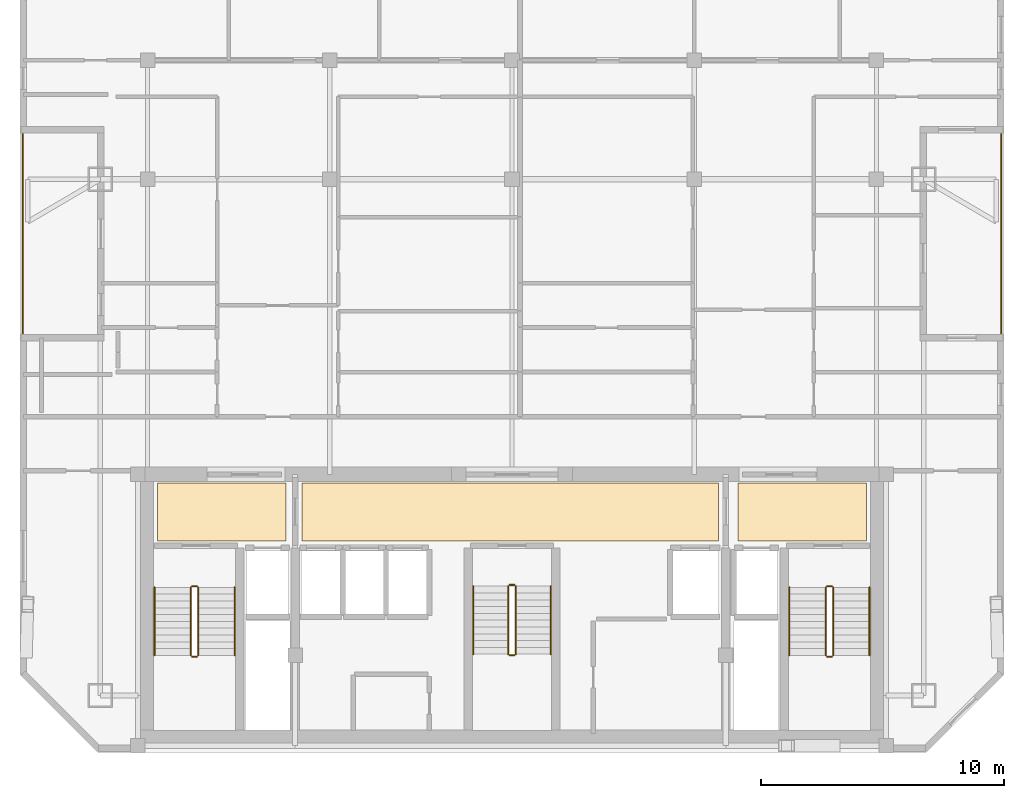
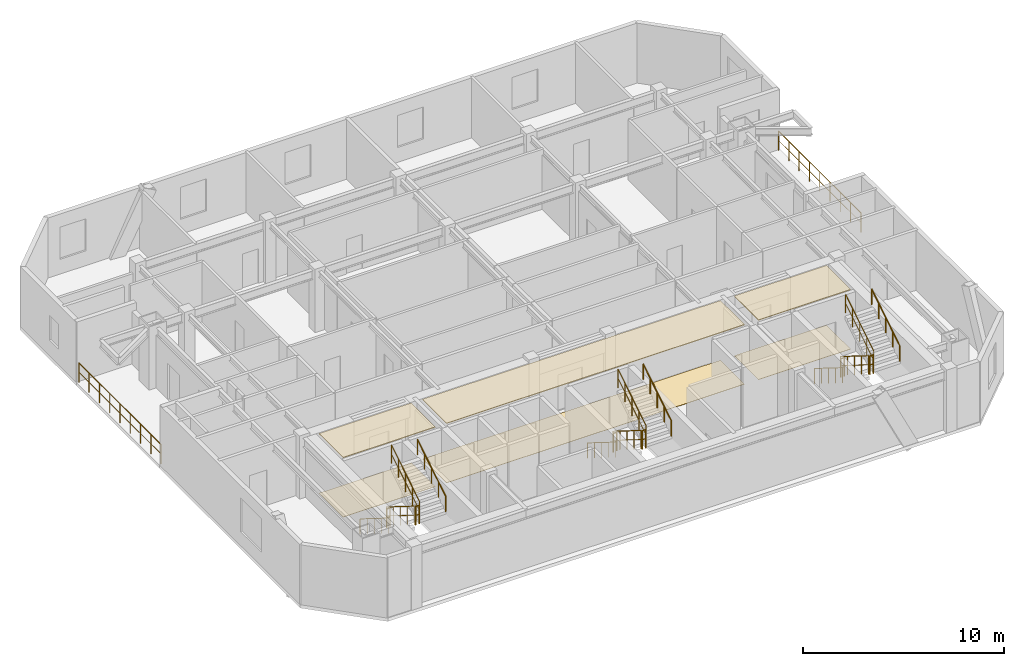
# One storey, part 7 of 7: 20 railings, 6 coverings.
"""IFC4 building model written with IfcOpenShell, lengths in metres."""

from ifc_helpers import new_model, si_unit, direction, frame, origin, origin_2d, place, context, subcontext, project, spatial, polyline, circle, outline, extrude, material, layer, layer_set, type_object, element, save


model = new_model("IFC4")

# Units and contexts
model_context = context("Model", 3, precision=1e-05, world=origin(), true_north=direction((0.0, 1.0)))
body_context = subcontext(model_context, "Body", "Model", "MODEL_VIEW")
ifc_project = project(units=[si_unit("LENGTHUNIT", "METRE"), si_unit("AREAUNIT", "SQUARE_METRE"), si_unit("VOLUMEUNIT", "CUBIC_METRE"), si_unit("PLANEANGLEUNIT", "RADIAN"), si_unit("MASSUNIT", "GRAM", prefix="KILO")], contexts=[model_context])

# Site, building, storey
site_placement = place(None, origin())
site = spatial("IfcSite", under=ifc_project, at=site_placement, CompositionType="ELEMENT")
building_placement = place(site_placement, origin())
building = spatial("IfcBuilding", under=site, at=building_placement, Name="Ventersveld Concourse Tower", CompositionType="ELEMENT")
storey_placement = place(building_placement, frame((0.0, 0.0, 288.75)))
storey = spatial("IfcBuildingStorey", under=building, at=storey_placement, Name="L71", CompositionType="ELEMENT", Elevation=288.75)

# Coverings
ifc_material_1 = material(Name="Mineral-fibre acoustic ceiling tile", Category="gypsum")
ifc_layer_1 = layer(ifc_material_1, 0.0400390625)
ifc_layer_set_1 = layer_set([ifc_layer_1], Name="Mineral-fibre acoustic ceiling tile")
covering_type_1 = type_object("IfcCoveringType", Name="COV-CEIL-ACOUSTIC", PredefinedType="CEILING", material=ifc_layer_set_1)
covering_1_placement = place(storey_placement, frame((0.0, 0.0, 3.610107421875)))
element("IfcCovering", 1, at=covering_1_placement, inside=storey, type_object=covering_type_1, Name="L71 North Lift Lobby Acoustic Ceiling", PredefinedType="CEILING", context=body_context, shape_type="SweptSolid", body=[
    extrude(outline(polyline([(20.10009765625, 8.699951171875), (37.25, 8.699951171875), (37.25, 11.10009765625), (20.10009765625, 11.10009765625), (20.10009765625, 8.699951171875)])), origin(), (0.0, 0.0, 1.0), 0.039794921875),
])
covering_2_placement = place(storey_placement, frame((0.0, 0.0, 3.610107421875)))
element("IfcCovering", 2, at=covering_2_placement, inside=storey, type_object=covering_type_1, Name="L71 West Firefighting Lobby Acoustic Ceiling", PredefinedType="CEILING", context=body_context, shape_type="SweptSolid", body=[
    extrude(outline(polyline([(14.14990234375, 8.699951171875), (19.449951171875, 8.699951171875), (19.449951171875, 11.10009765625), (14.14990234375, 11.10009765625), (14.14990234375, 8.699951171875)])), origin(), (0.0, 0.0, 1.0), 0.039794921875),
])
covering_3_placement = place(storey_placement, frame((0.0, 0.0, 3.610107421875)))
element("IfcCovering", 3, at=covering_3_placement, inside=storey, type_object=covering_type_1, Name="L71 East Firefighting Lobby Acoustic Ceiling", PredefinedType="CEILING", context=body_context, shape_type="SweptSolid", body=[
    extrude(outline(polyline([(38.050048828125, 8.699951171875), (43.35009765625, 8.699951171875), (43.35009765625, 11.10009765625), (38.050048828125, 11.10009765625), (38.050048828125, 8.699951171875)])), origin(), (0.0, 0.0, 1.0), 0.039794921875),
])
ifc_material_2 = material(Name="Polished Highveld granite terrazzo", Category="masonry")
ifc_layer_2 = layer(ifc_material_2, 0.02001953125)
ifc_layer_set_2 = layer_set([ifc_layer_2], Name="Polished Highveld granite terrazzo")
covering_type_2 = type_object("IfcCoveringType", Name="COV-FLOOR-TERRAZZO", PredefinedType="FLOORING", material=ifc_layer_set_2)
covering_4_placement = place(storey_placement, origin())
element("IfcCovering", 4, at=covering_4_placement, inside=storey, type_object=covering_type_2, Name="L71 North Lift Lobby Terrazzo Flooring", PredefinedType="FLOORING", context=body_context, shape_type="SweptSolid", body=[
    extrude(outline(polyline([(20.10009765625, 8.699951171875), (37.25, 8.699951171875), (37.25, 11.10009765625), (20.10009765625, 11.10009765625), (20.10009765625, 8.699951171875)])), origin(), (0.0, 0.0, 1.0), 0.02001953125),
])
covering_5_placement = place(storey_placement, origin())
element("IfcCovering", 5, at=covering_5_placement, inside=storey, type_object=covering_type_2, Name="L71 West Firefighting Lobby Terrazzo Flooring", PredefinedType="FLOORING", context=body_context, shape_type="SweptSolid", body=[
    extrude(outline(polyline([(14.14990234375, 8.699951171875), (19.449951171875, 8.699951171875), (19.449951171875, 11.10009765625), (14.14990234375, 11.10009765625), (14.14990234375, 8.699951171875)])), origin(), (0.0, 0.0, 1.0), 0.02001953125),
])
covering_6_placement = place(storey_placement, origin())
element("IfcCovering", 6, at=covering_6_placement, inside=storey, type_object=covering_type_2, Name="L71 East Firefighting Lobby Terrazzo Flooring", PredefinedType="FLOORING", context=body_context, shape_type="SweptSolid", body=[
    extrude(outline(polyline([(38.050048828125, 8.699951171875), (43.35009765625, 8.699951171875), (43.35009765625, 11.10009765625), (38.050048828125, 11.10009765625), (38.050048828125, 8.699951171875)])), origin(), (0.0, 0.0, 1.0), 0.02001953125),
])

# Railings
ifc_material_3 = material(Name="Brushed stainless steel 316", Category="steel")
railing_type_1 = type_object("IfcRailingType", Name="GD-BAL-115", PredefinedType="GUARDRAIL", material=ifc_material_3)
railing_1_placement = place(storey_placement, frame((15.530029296875, 6.800048828125, 0.175048828125)))
element("IfcRailing", 7, at=railing_1_placement, inside=storey, type_object=railing_type_1, Name="L71 ST-01 stair guard 1", PredefinedType="GUARDRAIL", context=body_context, shape_type="SweptSolid", body=[
    extrude(circle(Radius=0.02392578125, at=origin_2d()), frame((0.0, 0.0, 1.1259765625), z_axis=(0.0, -0.848002457836, 0.529992293815), x_axis=(1.0, 0.0, 0.0)), (0.0, 0.0, 1.0), 3.302001953125),
    extrude(circle(Radius=0.01611328125, at=origin_2d()), frame((0.0, 0.0, 0.574951171875), z_axis=(0.0, -0.848002457836, 0.529992293815), x_axis=(1.0, 0.0, 0.0)), (0.0, 0.0, 1.0), 3.302001953125),
    extrude(circle(Radius=0.02099609375, at=origin_2d()), origin(), (0.0, 0.0, 1.0), 1.101806640625),
    extrude(circle(Radius=0.02099609375, at=origin_2d()), frame((0.0, -0.699951171875, 0.4375)), (0.0, 0.0, 1.0), 1.101806640625),
    extrude(circle(Radius=0.02099609375, at=origin_2d()), frame((0.0, -1.39990234375, 0.875)), (0.0, 0.0, 1.0), 1.101806640625),
    extrude(circle(Radius=0.02099609375, at=origin_2d()), frame((0.0, -2.10009765625, 1.3125)), (0.0, 0.0, 1.0), 1.101806640625),
    extrude(circle(Radius=0.02099609375, at=origin_2d()), frame((0.0, -2.800048828125, 1.75)), (0.0, 0.0, 1.0), 1.101806640625),
])
railing_2_placement = place(storey_placement, frame((15.580078125, 3.949951171875, 1.925048828125)))
element("IfcRailing", 8, at=railing_2_placement, inside=storey, type_object=railing_type_1, Name="L71 ST-01 stair guard 2", PredefinedType="GUARDRAIL", context=body_context, shape_type="SweptSolid", body=[
    extrude(circle(Radius=0.02392578125, at=origin_2d()), frame((0.0, 0.0, 1.1259765625), z_axis=(1.0, 0.0, 0.0), x_axis=(0.0, 1.0, 0.0)), (0.0, 0.0, 1.0), 0.199951171875),
    extrude(circle(Radius=0.01611328125, at=origin_2d()), frame((0.0, 0.0, 0.574951171875), z_axis=(1.0, 0.0, 0.0), x_axis=(0.0, 1.0, 0.0)), (0.0, 0.0, 1.0), 0.199951171875),
    extrude(circle(Radius=0.02099609375, at=origin_2d()), origin(), (0.0, 0.0, 1.0), 1.101806640625),
    extrude(circle(Radius=0.02099609375, at=origin_2d()), frame((0.199951171875, 0.0, 0.0)), (0.0, 0.0, 1.0), 1.101806640625),
])
railing_3_placement = place(storey_placement, frame((15.830078125, 4.0, 2.10009765625)))
element("IfcRailing", 9, at=railing_3_placement, inside=storey, type_object=railing_type_1, Name="L71 ST-01 stair guard 3", PredefinedType="GUARDRAIL", context=body_context, shape_type="SweptSolid", body=[
    extrude(circle(Radius=0.02392578125, at=origin_2d()), frame((0.0, 0.0, 1.1259765625), z_axis=(0.0, 0.848002457836, 0.529992293815), x_axis=(-1.0, 0.0, 0.0)), (0.0, 0.0, 1.0), 3.302001953125),
    extrude(circle(Radius=0.01611328125, at=origin_2d()), frame((0.0, 0.0, 0.574951171875), z_axis=(0.0, 0.848002457836, 0.529992293815), x_axis=(-1.0, 0.0, 0.0)), (0.0, 0.0, 1.0), 3.302001953125),
    extrude(circle(Radius=0.02099609375, at=origin_2d()), origin(), (0.0, 0.0, 1.0), 1.101806640625),
    extrude(circle(Radius=0.02099609375, at=origin_2d()), frame((0.0, 0.699951171875, 0.4375)), (0.0, 0.0, 1.0), 1.101806640625),
    extrude(circle(Radius=0.02099609375, at=origin_2d()), frame((0.0, 1.39990234375, 0.875)), (0.0, 0.0, 1.0), 1.101806640625),
    extrude(circle(Radius=0.02099609375, at=origin_2d()), frame((0.0, 2.10009765625, 1.3125)), (0.0, 0.0, 1.0), 1.101806640625),
    extrude(circle(Radius=0.02099609375, at=origin_2d()), frame((0.0, 2.800048828125, 1.75)), (0.0, 0.0, 1.0), 1.101806640625),
])
railing_4_placement = place(storey_placement, frame((15.580078125, 6.85009765625, 0.0)))
element("IfcRailing", 10, at=railing_4_placement, inside=storey, type_object=railing_type_1, Name="L71 ST-01 stair guard 4", PredefinedType="GUARDRAIL", context=body_context, shape_type="SweptSolid", body=[
    extrude(circle(Radius=0.02392578125, at=origin_2d()), frame((0.0, 0.0, 1.1259765625), z_axis=(1.0, 0.0, 0.0), x_axis=(0.0, 1.0, 0.0)), (0.0, 0.0, 1.0), 0.199951171875),
    extrude(circle(Radius=0.01611328125, at=origin_2d()), frame((0.0, 0.0, 0.574951171875), z_axis=(1.0, 0.0, 0.0), x_axis=(0.0, 1.0, 0.0)), (0.0, 0.0, 1.0), 0.199951171875),
    extrude(circle(Radius=0.02099609375, at=origin_2d()), origin(), (0.0, 0.0, 1.0), 1.101806640625),
    extrude(circle(Radius=0.02099609375, at=origin_2d()), frame((0.199951171875, 0.0, 0.0)), (0.0, 0.0, 1.0), 1.101806640625),
])
railing_5_placement = place(storey_placement, frame((41.669921875, 6.800048828125, 0.175048828125)))
element("IfcRailing", 11, at=railing_5_placement, inside=storey, type_object=railing_type_1, Name="L71 ST-02 stair guard 1", PredefinedType="GUARDRAIL", context=body_context, shape_type="SweptSolid", body=[
    extrude(circle(Radius=0.02392578125, at=origin_2d()), frame((0.0, 0.0, 1.1259765625), z_axis=(0.0, -0.848002457836, 0.529992293815), x_axis=(1.0, 0.0, 0.0)), (0.0, 0.0, 1.0), 3.302001953125),
    extrude(circle(Radius=0.01611328125, at=origin_2d()), frame((0.0, 0.0, 0.574951171875), z_axis=(0.0, -0.848002457836, 0.529992293815), x_axis=(1.0, 0.0, 0.0)), (0.0, 0.0, 1.0), 3.302001953125),
    extrude(circle(Radius=0.02099609375, at=origin_2d()), origin(), (0.0, 0.0, 1.0), 1.101806640625),
    extrude(circle(Radius=0.02099609375, at=origin_2d()), frame((0.0, -0.699951171875, 0.4375)), (0.0, 0.0, 1.0), 1.101806640625),
    extrude(circle(Radius=0.02099609375, at=origin_2d()), frame((0.0, -1.39990234375, 0.875)), (0.0, 0.0, 1.0), 1.101806640625),
    extrude(circle(Radius=0.02099609375, at=origin_2d()), frame((0.0, -2.10009765625, 1.3125)), (0.0, 0.0, 1.0), 1.101806640625),
    extrude(circle(Radius=0.02099609375, at=origin_2d()), frame((0.0, -2.800048828125, 1.75)), (0.0, 0.0, 1.0), 1.101806640625),
])
railing_6_placement = place(storey_placement, frame((41.719970703125, 3.949951171875, 1.925048828125)))
element("IfcRailing", 12, at=railing_6_placement, inside=storey, type_object=railing_type_1, Name="L71 ST-02 stair guard 2", PredefinedType="GUARDRAIL", context=body_context, shape_type="SweptSolid", body=[
    extrude(circle(Radius=0.02392578125, at=origin_2d()), frame((0.0, 0.0, 1.1259765625), z_axis=(1.0, 0.0, 0.0), x_axis=(0.0, 1.0, 0.0)), (0.0, 0.0, 1.0), 0.199951171875),
    extrude(circle(Radius=0.01611328125, at=origin_2d()), frame((0.0, 0.0, 0.574951171875), z_axis=(1.0, 0.0, 0.0), x_axis=(0.0, 1.0, 0.0)), (0.0, 0.0, 1.0), 0.199951171875),
    extrude(circle(Radius=0.02099609375, at=origin_2d()), origin(), (0.0, 0.0, 1.0), 1.101806640625),
    extrude(circle(Radius=0.02099609375, at=origin_2d()), frame((0.199951171875, 0.0, 0.0)), (0.0, 0.0, 1.0), 1.101806640625),
])
railing_7_placement = place(storey_placement, frame((41.969970703125, 4.0, 2.10009765625)))
element("IfcRailing", 13, at=railing_7_placement, inside=storey, type_object=railing_type_1, Name="L71 ST-02 stair guard 3", PredefinedType="GUARDRAIL", context=body_context, shape_type="SweptSolid", body=[
    extrude(circle(Radius=0.02392578125, at=origin_2d()), frame((0.0, 0.0, 1.1259765625), z_axis=(0.0, 0.848002457836, 0.529992293815), x_axis=(-1.0, 0.0, 0.0)), (0.0, 0.0, 1.0), 3.302001953125),
    extrude(circle(Radius=0.01611328125, at=origin_2d()), frame((0.0, 0.0, 0.574951171875), z_axis=(0.0, 0.848002457836, 0.529992293815), x_axis=(-1.0, 0.0, 0.0)), (0.0, 0.0, 1.0), 3.302001953125),
    extrude(circle(Radius=0.02099609375, at=origin_2d()), origin(), (0.0, 0.0, 1.0), 1.101806640625),
    extrude(circle(Radius=0.02099609375, at=origin_2d()), frame((0.0, 0.699951171875, 0.4375)), (0.0, 0.0, 1.0), 1.101806640625),
    extrude(circle(Radius=0.02099609375, at=origin_2d()), frame((0.0, 1.39990234375, 0.875)), (0.0, 0.0, 1.0), 1.101806640625),
    extrude(circle(Radius=0.02099609375, at=origin_2d()), frame((0.0, 2.10009765625, 1.3125)), (0.0, 0.0, 1.0), 1.101806640625),
    extrude(circle(Radius=0.02099609375, at=origin_2d()), frame((0.0, 2.800048828125, 1.75)), (0.0, 0.0, 1.0), 1.101806640625),
])
railing_8_placement = place(storey_placement, frame((41.719970703125, 6.85009765625, 0.0)))
element("IfcRailing", 14, at=railing_8_placement, inside=storey, type_object=railing_type_1, Name="L71 ST-02 stair guard 4", PredefinedType="GUARDRAIL", context=body_context, shape_type="SweptSolid", body=[
    extrude(circle(Radius=0.02392578125, at=origin_2d()), frame((0.0, 0.0, 1.1259765625), z_axis=(1.0, 0.0, 0.0), x_axis=(0.0, 1.0, 0.0)), (0.0, 0.0, 1.0), 0.199951171875),
    extrude(circle(Radius=0.01611328125, at=origin_2d()), frame((0.0, 0.0, 0.574951171875), z_axis=(1.0, 0.0, 0.0), x_axis=(0.0, 1.0, 0.0)), (0.0, 0.0, 1.0), 0.199951171875),
    extrude(circle(Radius=0.02099609375, at=origin_2d()), origin(), (0.0, 0.0, 1.0), 1.101806640625),
    extrude(circle(Radius=0.02099609375, at=origin_2d()), frame((0.199951171875, 0.0, 0.0)), (0.0, 0.0, 1.0), 1.101806640625),
])
railing_9_placement = place(storey_placement, frame((28.60009765625, 6.85009765625, 0.175048828125)))
element("IfcRailing", 15, at=railing_9_placement, inside=storey, type_object=railing_type_1, Name="L71 ST-03 stair guard 1", PredefinedType="GUARDRAIL", context=body_context, shape_type="SweptSolid", body=[
    extrude(circle(Radius=0.02392578125, at=origin_2d()), frame((0.0, 0.0, 1.1259765625), z_axis=(0.0, -0.848002457836, 0.529992293815), x_axis=(1.0, 0.0, 0.0)), (0.0, 0.0, 1.0), 3.302001953125),
    extrude(circle(Radius=0.01611328125, at=origin_2d()), frame((0.0, 0.0, 0.574951171875), z_axis=(0.0, -0.848002457836, 0.529992293815), x_axis=(1.0, 0.0, 0.0)), (0.0, 0.0, 1.0), 3.302001953125),
    extrude(circle(Radius=0.02099609375, at=origin_2d()), origin(), (0.0, 0.0, 1.0), 1.101806640625),
    extrude(circle(Radius=0.02099609375, at=origin_2d()), frame((0.0, -0.699951171875, 0.4375)), (0.0, 0.0, 1.0), 1.101806640625),
    extrude(circle(Radius=0.02099609375, at=origin_2d()), frame((0.0, -1.39990234375, 0.875)), (0.0, 0.0, 1.0), 1.101806640625),
    extrude(circle(Radius=0.02099609375, at=origin_2d()), frame((0.0, -2.10009765625, 1.3125)), (0.0, 0.0, 1.0), 1.101806640625),
    extrude(circle(Radius=0.02099609375, at=origin_2d()), frame((0.0, -2.800048828125, 1.75)), (0.0, 0.0, 1.0), 1.101806640625),
])
railing_10_placement = place(storey_placement, frame((28.64990234375, 4.0, 1.925048828125)))
element("IfcRailing", 16, at=railing_10_placement, inside=storey, type_object=railing_type_1, Name="L71 ST-03 stair guard 2", PredefinedType="GUARDRAIL", context=body_context, shape_type="SweptSolid", body=[
    extrude(circle(Radius=0.02392578125, at=origin_2d()), frame((0.0, 0.0, 1.1259765625), z_axis=(1.0, 0.0, 0.0), x_axis=(0.0, 1.0, 0.0)), (0.0, 0.0, 1.0), 0.2001953125),
    extrude(circle(Radius=0.01611328125, at=origin_2d()), frame((0.0, 0.0, 0.574951171875), z_axis=(1.0, 0.0, 0.0), x_axis=(0.0, 1.0, 0.0)), (0.0, 0.0, 1.0), 0.2001953125),
    extrude(circle(Radius=0.02099609375, at=origin_2d()), origin(), (0.0, 0.0, 1.0), 1.101806640625),
    extrude(circle(Radius=0.02099609375, at=origin_2d()), frame((0.2001953125, 0.0, 0.0)), (0.0, 0.0, 1.0), 1.101806640625),
])
railing_11_placement = place(storey_placement, frame((28.89990234375, 4.050048828125, 2.10009765625)))
element("IfcRailing", 17, at=railing_11_placement, inside=storey, type_object=railing_type_1, Name="L71 ST-03 stair guard 3", PredefinedType="GUARDRAIL", context=body_context, shape_type="SweptSolid", body=[
    extrude(circle(Radius=0.02392578125, at=origin_2d()), frame((0.0, 0.0, 1.1259765625), z_axis=(0.0, 0.848002457836, 0.529992293815), x_axis=(-1.0, 0.0, 0.0)), (0.0, 0.0, 1.0), 3.302001953125),
    extrude(circle(Radius=0.01611328125, at=origin_2d()), frame((0.0, 0.0, 0.574951171875), z_axis=(0.0, 0.848002457836, 0.529992293815), x_axis=(-1.0, 0.0, 0.0)), (0.0, 0.0, 1.0), 3.302001953125),
    extrude(circle(Radius=0.02099609375, at=origin_2d()), origin(), (0.0, 0.0, 1.0), 1.101806640625),
    extrude(circle(Radius=0.02099609375, at=origin_2d()), frame((0.0, 0.699951171875, 0.4375)), (0.0, 0.0, 1.0), 1.101806640625),
    extrude(circle(Radius=0.02099609375, at=origin_2d()), frame((0.0, 1.39990234375, 0.875)), (0.0, 0.0, 1.0), 1.101806640625),
    extrude(circle(Radius=0.02099609375, at=origin_2d()), frame((0.0, 2.10009765625, 1.3125)), (0.0, 0.0, 1.0), 1.101806640625),
    extrude(circle(Radius=0.02099609375, at=origin_2d()), frame((0.0, 2.800048828125, 1.75)), (0.0, 0.0, 1.0), 1.101806640625),
])
railing_12_placement = place(storey_placement, frame((28.64990234375, 6.89990234375, 0.0)))
element("IfcRailing", 18, at=railing_12_placement, inside=storey, type_object=railing_type_1, Name="L71 ST-03 stair guard 4", PredefinedType="GUARDRAIL", context=body_context, shape_type="SweptSolid", body=[
    extrude(circle(Radius=0.02392578125, at=origin_2d()), frame((0.0, 0.0, 1.1259765625), z_axis=(1.0, 0.0, 0.0), x_axis=(0.0, 1.0, 0.0)), (0.0, 0.0, 1.0), 0.2001953125),
    extrude(circle(Radius=0.01611328125, at=origin_2d()), frame((0.0, 0.0, 0.574951171875), z_axis=(1.0, 0.0, 0.0), x_axis=(0.0, 1.0, 0.0)), (0.0, 0.0, 1.0), 0.2001953125),
    extrude(circle(Radius=0.02099609375, at=origin_2d()), origin(), (0.0, 0.0, 1.0), 1.101806640625),
    extrude(circle(Radius=0.02099609375, at=origin_2d()), frame((0.2001953125, 0.0, 0.0)), (0.0, 0.0, 1.0), 1.101806640625),
])
railing_type_2 = type_object("IfcRailingType", Name="GD-TER-120", PredefinedType="GUARDRAIL", material=ifc_material_3)
for number, where, name in (
    (19, (8.615234375, 17.260498046875, 0.0), "L71 Outdoor Terrace Guardrail NOTCH-W"),
    (20, (48.884765625, 17.260498046875, 0.0), "L71 Outdoor Terrace Guardrail NOTCH-E"),
):
    element("IfcRailing", number, at=place(storey_placement, frame(where)), inside=storey, type_object=railing_type_2, Name=name, PredefinedType="GUARDRAIL", context=body_context, shape_type="SweptSolid", body=[
        extrude(circle(Radius=0.02392578125, at=origin_2d()), frame((0.0, 0.0, 1.17578125), z_axis=(0.0, 1.0, 0.0), x_axis=(-1.0, 0.0, 0.0)), (0.0, 0.0, 1.0), 8.2001953125),
        extrude(circle(Radius=0.01611328125, at=origin_2d()), frame((0.0, 0.0, 0.60009765625), z_axis=(0.0, 1.0, 0.0), x_axis=(-1.0, 0.0, 0.0)), (0.0, 0.0, 1.0), 8.2001953125),
        extrude(circle(Radius=0.02099609375, at=origin_2d()), origin(), (0.0, 0.0, 1.0), 1.15185546875),
        extrude(circle(Radius=0.02099609375, at=origin_2d()), frame((0.0, 1.02490234375, 0.0)), (0.0, 0.0, 1.0), 1.15185546875),
        extrude(circle(Radius=0.02099609375, at=origin_2d()), frame((0.0, 2.050048828125, 0.0)), (0.0, 0.0, 1.0), 1.15185546875),
        extrude(circle(Radius=0.02099609375, at=origin_2d()), frame((0.0, 3.0751953125, 0.0)), (0.0, 0.0, 1.0), 1.15185546875),
        extrude(circle(Radius=0.02099609375, at=origin_2d()), frame((0.0, 4.10009765625, 0.0)), (0.0, 0.0, 1.0), 1.15185546875),
        extrude(circle(Radius=0.02099609375, at=origin_2d()), frame((0.0, 5.125, 0.0)), (0.0, 0.0, 1.0), 1.15185546875),
        extrude(circle(Radius=0.02099609375, at=origin_2d()), frame((0.0, 6.150146484375, 0.0)), (0.0, 0.0, 1.0), 1.15185546875),
        extrude(circle(Radius=0.02099609375, at=origin_2d()), frame((0.0, 7.17529296875, 0.0)), (0.0, 0.0, 1.0), 1.15185546875),
        extrude(circle(Radius=0.02099609375, at=origin_2d()), frame((0.0, 8.2001953125, 0.0)), (0.0, 0.0, 1.0), 1.15185546875),
    ])
railing_type_3 = type_object("IfcRailingType", Name="HR-RMP-095", PredefinedType="HANDRAIL", material=ifc_material_3)
railing_13_placement = place(storey_placement, frame((14.030029296875, 6.800048828125, 0.175048828125)))
element("IfcRailing", 21, at=railing_13_placement, inside=storey, type_object=railing_type_3, Name="L71 ST-01 stair handrail 1", PredefinedType="HANDRAIL", context=body_context, shape_type="SweptSolid", body=[
    extrude(circle(Radius=0.02392578125, at=origin_2d()), frame((0.0, 0.0, 0.92578125), z_axis=(0.0, -0.848002457836, 0.529992293815), x_axis=(1.0, 0.0, 0.0)), (0.0, 0.0, 1.0), 3.302001953125),
    extrude(circle(Radius=0.02099609375, at=origin_2d()), origin(), (0.0, 0.0, 1.0), 0.90185546875),
    extrude(circle(Radius=0.02099609375, at=origin_2d()), frame((0.0, -0.699951171875, 0.4375)), (0.0, 0.0, 1.0), 0.90185546875),
    extrude(circle(Radius=0.02099609375, at=origin_2d()), frame((0.0, -1.39990234375, 0.875)), (0.0, 0.0, 1.0), 0.90185546875),
    extrude(circle(Radius=0.02099609375, at=origin_2d()), frame((0.0, -2.10009765625, 1.3125)), (0.0, 0.0, 1.0), 0.90185546875),
    extrude(circle(Radius=0.02099609375, at=origin_2d()), frame((0.0, -2.800048828125, 1.75)), (0.0, 0.0, 1.0), 0.90185546875),
])
railing_14_placement = place(storey_placement, frame((17.330078125, 4.0, 2.10009765625)))
element("IfcRailing", 22, at=railing_14_placement, inside=storey, type_object=railing_type_3, Name="L71 ST-01 stair handrail 2", PredefinedType="HANDRAIL", context=body_context, shape_type="SweptSolid", body=[
    extrude(circle(Radius=0.02392578125, at=origin_2d()), frame((0.0, 0.0, 0.92578125), z_axis=(0.0, 0.848002457836, 0.529992293815), x_axis=(-1.0, 0.0, 0.0)), (0.0, 0.0, 1.0), 3.302001953125),
    extrude(circle(Radius=0.02099609375, at=origin_2d()), origin(), (0.0, 0.0, 1.0), 0.90185546875),
    extrude(circle(Radius=0.02099609375, at=origin_2d()), frame((0.0, 0.699951171875, 0.4375)), (0.0, 0.0, 1.0), 0.90185546875),
    extrude(circle(Radius=0.02099609375, at=origin_2d()), frame((0.0, 1.39990234375, 0.875)), (0.0, 0.0, 1.0), 0.90185546875),
    extrude(circle(Radius=0.02099609375, at=origin_2d()), frame((0.0, 2.10009765625, 1.3125)), (0.0, 0.0, 1.0), 0.90185546875),
    extrude(circle(Radius=0.02099609375, at=origin_2d()), frame((0.0, 2.800048828125, 1.75)), (0.0, 0.0, 1.0), 0.90185546875),
])
railing_15_placement = place(storey_placement, frame((40.169921875, 6.800048828125, 0.175048828125)))
element("IfcRailing", 23, at=railing_15_placement, inside=storey, type_object=railing_type_3, Name="L71 ST-02 stair handrail 1", PredefinedType="HANDRAIL", context=body_context, shape_type="SweptSolid", body=[
    extrude(circle(Radius=0.02392578125, at=origin_2d()), frame((0.0, 0.0, 0.92578125), z_axis=(0.0, -0.848002457836, 0.529992293815), x_axis=(1.0, 0.0, 0.0)), (0.0, 0.0, 1.0), 3.302001953125),
    extrude(circle(Radius=0.02099609375, at=origin_2d()), origin(), (0.0, 0.0, 1.0), 0.90185546875),
    extrude(circle(Radius=0.02099609375, at=origin_2d()), frame((0.0, -0.699951171875, 0.4375)), (0.0, 0.0, 1.0), 0.90185546875),
    extrude(circle(Radius=0.02099609375, at=origin_2d()), frame((0.0, -1.39990234375, 0.875)), (0.0, 0.0, 1.0), 0.90185546875),
    extrude(circle(Radius=0.02099609375, at=origin_2d()), frame((0.0, -2.10009765625, 1.3125)), (0.0, 0.0, 1.0), 0.90185546875),
    extrude(circle(Radius=0.02099609375, at=origin_2d()), frame((0.0, -2.800048828125, 1.75)), (0.0, 0.0, 1.0), 0.90185546875),
])
railing_16_placement = place(storey_placement, frame((43.469970703125, 4.0, 2.10009765625)))
element("IfcRailing", 24, at=railing_16_placement, inside=storey, type_object=railing_type_3, Name="L71 ST-02 stair handrail 2", PredefinedType="HANDRAIL", context=body_context, shape_type="SweptSolid", body=[
    extrude(circle(Radius=0.02392578125, at=origin_2d()), frame((0.0, 0.0, 0.92578125), z_axis=(0.0, 0.848002457836, 0.529992293815), x_axis=(-1.0, 0.0, 0.0)), (0.0, 0.0, 1.0), 3.302001953125),
    extrude(circle(Radius=0.02099609375, at=origin_2d()), origin(), (0.0, 0.0, 1.0), 0.90185546875),
    extrude(circle(Radius=0.02099609375, at=origin_2d()), frame((0.0, 0.699951171875, 0.4375)), (0.0, 0.0, 1.0), 0.90185546875),
    extrude(circle(Radius=0.02099609375, at=origin_2d()), frame((0.0, 1.39990234375, 0.875)), (0.0, 0.0, 1.0), 0.90185546875),
    extrude(circle(Radius=0.02099609375, at=origin_2d()), frame((0.0, 2.10009765625, 1.3125)), (0.0, 0.0, 1.0), 0.90185546875),
    extrude(circle(Radius=0.02099609375, at=origin_2d()), frame((0.0, 2.800048828125, 1.75)), (0.0, 0.0, 1.0), 0.90185546875),
])
railing_17_placement = place(storey_placement, frame((27.14990234375, 6.85009765625, 0.175048828125)))
element("IfcRailing", 25, at=railing_17_placement, inside=storey, type_object=railing_type_3, Name="L71 ST-03 stair handrail 1", PredefinedType="HANDRAIL", context=body_context, shape_type="SweptSolid", body=[
    extrude(circle(Radius=0.02392578125, at=origin_2d()), frame((0.0, 0.0, 0.92578125), z_axis=(0.0, -0.848002457836, 0.529992293815), x_axis=(1.0, 0.0, 0.0)), (0.0, 0.0, 1.0), 3.302001953125),
    extrude(circle(Radius=0.02099609375, at=origin_2d()), origin(), (0.0, 0.0, 1.0), 0.90185546875),
    extrude(circle(Radius=0.02099609375, at=origin_2d()), frame((0.0, -0.699951171875, 0.4375)), (0.0, 0.0, 1.0), 0.90185546875),
    extrude(circle(Radius=0.02099609375, at=origin_2d()), frame((0.0, -1.39990234375, 0.875)), (0.0, 0.0, 1.0), 0.90185546875),
    extrude(circle(Radius=0.02099609375, at=origin_2d()), frame((0.0, -2.10009765625, 1.3125)), (0.0, 0.0, 1.0), 0.90185546875),
    extrude(circle(Radius=0.02099609375, at=origin_2d()), frame((0.0, -2.800048828125, 1.75)), (0.0, 0.0, 1.0), 0.90185546875),
])
railing_18_placement = place(storey_placement, frame((30.35009765625, 4.050048828125, 2.10009765625)))
element("IfcRailing", 26, at=railing_18_placement, inside=storey, type_object=railing_type_3, Name="L71 ST-03 stair handrail 2", PredefinedType="HANDRAIL", context=body_context, shape_type="SweptSolid", body=[
    extrude(circle(Radius=0.02392578125, at=origin_2d()), frame((0.0, 0.0, 0.92578125), z_axis=(0.0, 0.848002457836, 0.529992293815), x_axis=(-1.0, 0.0, 0.0)), (0.0, 0.0, 1.0), 3.302001953125),
    extrude(circle(Radius=0.02099609375, at=origin_2d()), origin(), (0.0, 0.0, 1.0), 0.90185546875),
    extrude(circle(Radius=0.02099609375, at=origin_2d()), frame((0.0, 0.699951171875, 0.4375)), (0.0, 0.0, 1.0), 0.90185546875),
    extrude(circle(Radius=0.02099609375, at=origin_2d()), frame((0.0, 1.39990234375, 0.875)), (0.0, 0.0, 1.0), 0.90185546875),
    extrude(circle(Radius=0.02099609375, at=origin_2d()), frame((0.0, 2.10009765625, 1.3125)), (0.0, 0.0, 1.0), 0.90185546875),
    extrude(circle(Radius=0.02099609375, at=origin_2d()), frame((0.0, 2.800048828125, 1.75)), (0.0, 0.0, 1.0), 0.90185546875),
])

save(model, "model.ifc")
